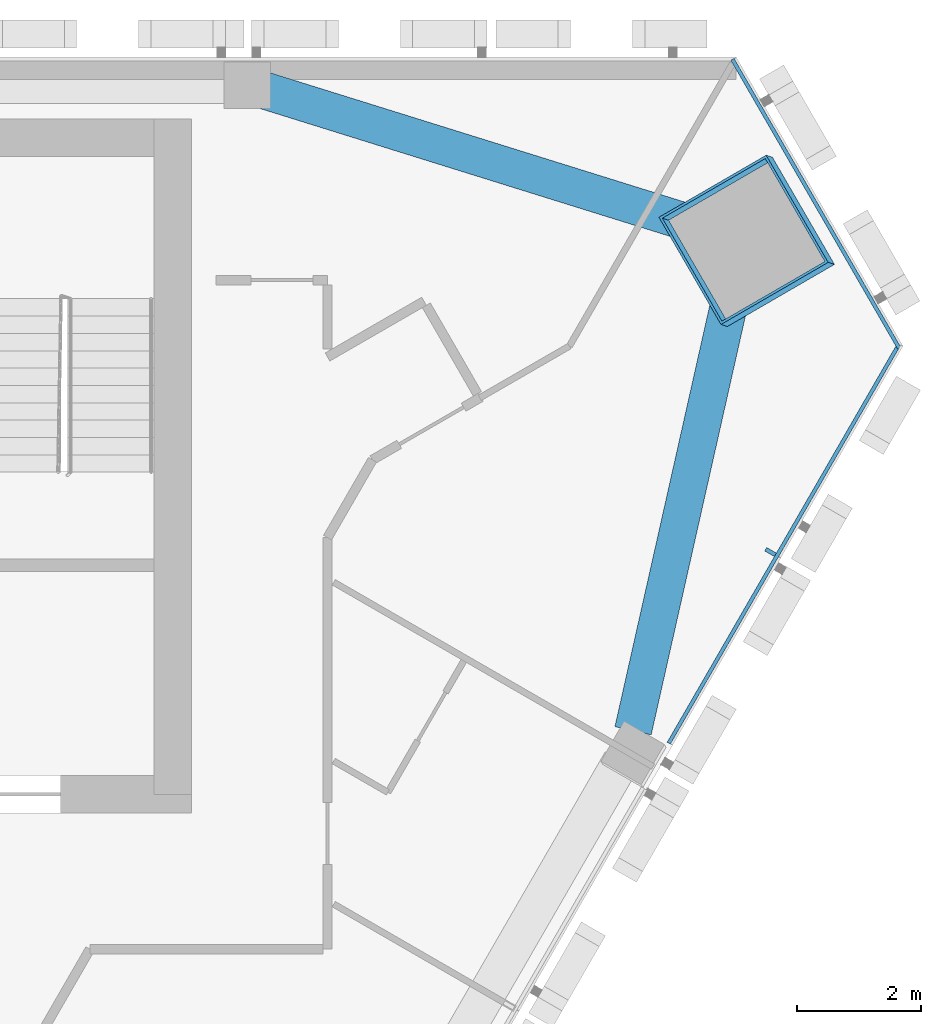
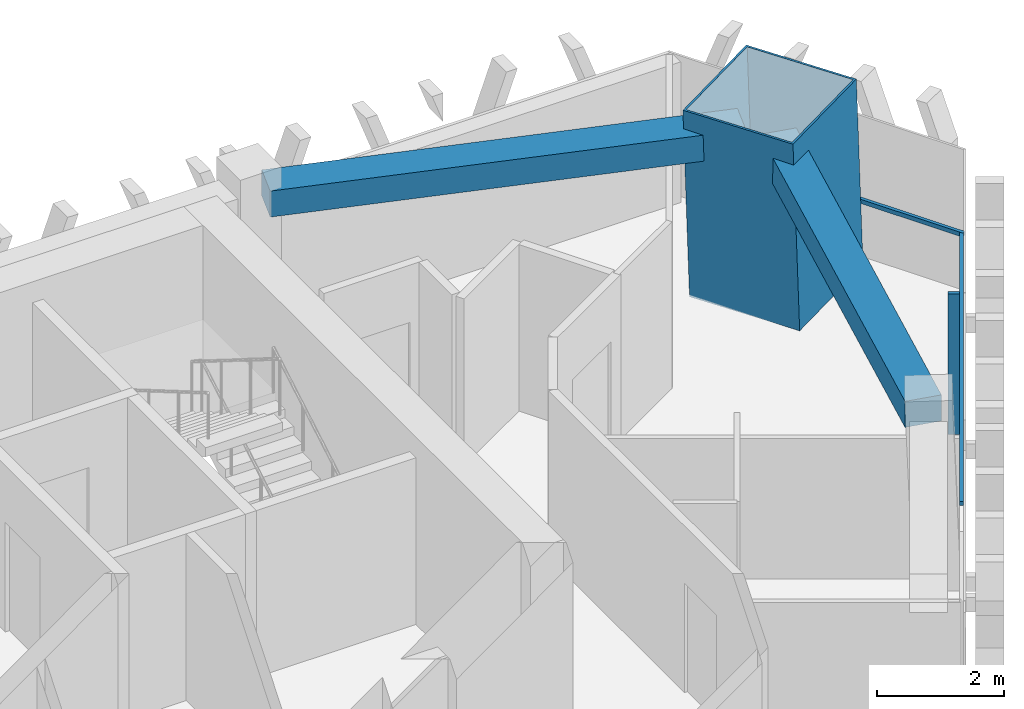
# One storey, part 6 of 14: 4 members, 2 beams, 2 elements without a shape of their own.
"""IFC4 building model written with IfcOpenShell, lengths in metres."""

import ifcopenshell
import ifcopenshell.guid

model = None  # the IFC model being written
_history = None  # IfcOwnerHistory: only IFC2X3 demands one
_inside = {}  # id of a spatial element -> (the spatial element, [elements in it])
_under = {}  # id of a project, library or spatial element -> (it, [spatial elements below it])
_declared = {}  # id of a project -> (the project, [libraries it declares])
_typed = {}  # id of a type object -> (the type object, [elements of that type])
_made_of = {}  # id of a material, layer set ... -> (it, [elements and type objects made of it])


def new_model(schema):
    """Start an empty IFC model of exactly this schema.

    Asked for "IFC4X3", IfcOpenShell would pick the latest addendum, in which some entities
    have other attributes; the version numbers below select the first issue.
    IFC2X3 requires an IfcOwnerHistory on every rooted entity: one is made here for all.
    """
    global model, _history
    if schema == "IFC4X3":
        model = ifcopenshell.file(schema_version=(4, 3, 0, 0))
    else:
        model = ifcopenshell.file(schema=schema)
    _inside.clear()
    _under.clear()
    _declared.clear()
    _typed.clear()
    _made_of.clear()
    _history = None
    if model.schema == "IFC2X3":
        org = make("IfcOrganization", Name="unknown")
        user = make(
            "IfcPersonAndOrganization",
            ThePerson=make("IfcPerson", FamilyName="unknown"),
            TheOrganization=org,
        )
        app = make(
            "IfcApplication",
            ApplicationDeveloper=org,
            Version="unknown",
            ApplicationFullName="unknown",
            ApplicationIdentifier="unknown",
        )
        _history = make(
            "IfcOwnerHistory",
            OwningUser=user,
            OwningApplication=app,
            ChangeAction="ADDED",
            CreationDate=0,
        )
    return model


def make(cls, **values):
    """One entity of the class cls with the attributes given. An attribute that is None is left unset."""
    return model.create_entity(
        cls, **{name: value for name, value in values.items() if value is not None}
    )


def rooted(cls, **values):
    """An entity with a GlobalId (a new one), such as an element, a storey or a relation."""
    return make(cls, GlobalId=ifcopenshell.guid.new(), OwnerHistory=_history, **values)


def si_unit(unit_type, name, prefix=None):
    """IfcSIUnit, for example si_unit("LENGTHUNIT", "METRE", prefix="MILLI")."""
    return make("IfcSIUnit", UnitType=unit_type, Prefix=prefix, Name=name)


def assignment(units):
    """IfcUnitAssignment: the units of a project."""
    return None if units is None else make("IfcUnitAssignment", Units=units)


def point(xyz):
    """IfcCartesianPoint."""
    return None if xyz is None else make("IfcCartesianPoint", Coordinates=xyz)


def direction(xyz):
    """IfcDirection."""
    return None if xyz is None else make("IfcDirection", DirectionRatios=xyz)


def frame(location, z_axis=None, x_axis=None):
    """IfcAxis2Placement3D, a coordinate frame: its origin and axes. An axis left out is left unset."""
    return make(
        "IfcAxis2Placement3D",
        Location=point(location),
        Axis=direction(z_axis),
        RefDirection=direction(x_axis),
    )


def frame_2d(location, x_axis=None):
    """IfcAxis2Placement2D, a coordinate frame in the plane: its origin and x axis."""
    return make(
        "IfcAxis2Placement2D", Location=point(location), RefDirection=direction(x_axis)
    )


def origin():
    """The frame at (0, 0, 0) with its axes left unset."""
    return frame((0.0, 0.0, 0.0))


def origin_2d():
    """The frame at (0, 0) in the plane with its x axis left unset."""
    return frame_2d((0.0, 0.0))


def place(relative_to, where):
    """IfcLocalPlacement: puts the frame where relative to a parent placement (None: the world)."""
    return make(
        "IfcLocalPlacement", PlacementRelTo=relative_to, RelativePlacement=where
    )


def context(
    kind, dimensions, precision=None, world=None, true_north=None, identifier=None
):
    """IfcGeometricRepresentationContext, for example the 3D "Model" context."""
    return make(
        "IfcGeometricRepresentationContext",
        ContextIdentifier=identifier,
        ContextType=kind,
        CoordinateSpaceDimension=dimensions,
        Precision=precision,
        WorldCoordinateSystem=world,
        TrueNorth=true_north,
    )


def subcontext(parent, identifier, kind, view, scale=None):
    """IfcGeometricRepresentationSubContext, for example "Body" below "Model"."""
    return make(
        "IfcGeometricRepresentationSubContext",
        ContextIdentifier=identifier,
        ContextType=kind,
        ParentContext=parent,
        TargetScale=scale,
        TargetView=view,
    )


def project(units=None, contexts=None):
    """IfcProject with its units and contexts."""
    return rooted(
        "IfcProject",
        Name="project",
        RepresentationContexts=contexts,
        UnitsInContext=assignment(units),
    )


def spatial(cls, under=None, at=None, **own):
    """A site, building, storey or space (cls), placed at a placement, below another one or the project."""
    s = rooted(cls, ObjectPlacement=at, **own)
    if under is not None:
        _under.setdefault(under.id(), (under, []))[1].append(s)
    return s


def profile(cls, at=None, kind="AREA", **sizes):
    """A parametric profile (cls). Its sizes go by their IFC names, for example OverallWidth=200.0."""
    return make(cls, ProfileType=kind, Position=at, **sizes)


def rectangle(**sizes):
    """IfcRectangleProfileDef."""
    return profile("IfcRectangleProfileDef", **sizes)


def hollow_rectangle(**sizes):
    """IfcRectangleHollowProfileDef."""
    return profile("IfcRectangleHollowProfileDef", **sizes)


def extrude(swept, where, along, depth):
    """IfcExtrudedAreaSolid: the profile swept, set in the frame where, extruded along a direction by depth."""
    return make(
        "IfcExtrudedAreaSolid",
        SweptArea=swept,
        Position=where,
        ExtrudedDirection=direction(along),
        Depth=depth,
    )


def shape(context_of_items, identifier, shape_type, items):
    """IfcShapeRepresentation: the items that make up one representation, for example the "Body"."""
    return make(
        "IfcShapeRepresentation",
        ContextOfItems=context_of_items,
        RepresentationIdentifier=identifier,
        RepresentationType=shape_type,
        Items=items,
    )


def material(Name=None, Category=None):
    """IfcMaterial."""
    return make("IfcMaterial", Name=Name, Category=Category)


def layer(
    of_material, thickness, ventilated=None, Name=None, Category=None, Priority=None
):
    """IfcMaterialLayer: one layer of a wall or slab, of a material (None: an air gap)."""
    return make(
        "IfcMaterialLayer",
        Material=of_material,
        LayerThickness=thickness,
        IsVentilated=ventilated,
        Name=Name,
        Category=Category,
        Priority=Priority,
    )


def layer_set(layers, Name=None):
    """IfcMaterialLayerSet."""
    return make("IfcMaterialLayerSet", MaterialLayers=layers, LayerSetName=Name)


def material_profile(
    of_material, cross_section, Name=None, Category=None, Priority=None
):
    """IfcMaterialProfile: a cross section and its material."""
    return make(
        "IfcMaterialProfile",
        Name=Name,
        Material=of_material,
        Profile=cross_section,
        Priority=Priority,
        Category=Category,
    )


def profile_set(profiles, Name=None, composite=None):
    """IfcMaterialProfileSet."""
    return make(
        "IfcMaterialProfileSet",
        Name=Name,
        MaterialProfiles=profiles,
        CompositeProfile=composite,
    )


def made_of(thing, what):
    """Note that an element or type object is made of a material, layer set ...; save() writes the relation."""
    if what is not None:
        _made_of.setdefault(what.id(), (what, []))[1].append(thing)
    return thing


def type_object(cls, material=None, **own):
    """A type object (cls), such as IfcWallType, which elements share."""
    return made_of(rooted(cls, **own), material)


def element(
    cls,
    number,
    at=None,
    inside=None,
    cuts=None,
    type_object=None,
    material=None,
    context=None,
    identifier="Body",
    shape_type=None,
    held_by="IfcProductDefinitionShape",
    body=None,
    shapes=None,
    **own,
):
    """One element of the class cls, such as IfcWall. Its Tag is "e" and its number.

    at: its placement. inside: the storey or other place that contains it. cuts: it is an
    opening in that element (IfcRelVoidsElement). A single representation is given by context,
    identifier, shape_type and body (its items); several are given by shapes. held_by: the class
    of the entity that holds the representations. save() writes the other relations.
    """
    e = rooted(cls, Tag="e%d" % number, ObjectPlacement=at, **own)
    if body is not None:
        shapes = [shape(context, identifier, shape_type, body)]
    if shapes is not None:
        e.Representation = make(held_by, Representations=shapes)
    if inside is not None:
        _inside.setdefault(inside.id(), (inside, []))[1].append(e)
    if cuts is not None:
        rooted(
            "IfcRelVoidsElement", RelatingBuildingElement=cuts, RelatedOpeningElement=e
        )
    if type_object is not None:
        _typed.setdefault(type_object.id(), (type_object, []))[1].append(e)
    return made_of(e, material)


def aggregate(whole, parts):
    """IfcRelAggregates: a whole, such as a stair, and the parts it consists of."""
    return rooted("IfcRelAggregates", RelatingObject=whole, RelatedObjects=parts)


def save(model, path):
    """Write the relations noted so far, then the file.

    IfcRelAggregates (storeys below a building ...), IfcRelContainedInSpatialStructure (elements
    in a storey), IfcRelDefinesByType, IfcRelAssociatesMaterial and IfcRelDeclares: one each for
    every whole, place, type object, material and project.
    """
    for whole, parts in _under.values():
        aggregate(whole, parts)
    for where, things in _inside.values():
        rooted(
            "IfcRelContainedInSpatialStructure",
            RelatedElements=things,
            RelatingStructure=where,
        )
    for kind, things in _typed.values():
        rooted("IfcRelDefinesByType", RelatedObjects=things, RelatingType=kind)
    for what, things in _made_of.values():
        rooted("IfcRelAssociatesMaterial", RelatedObjects=things, RelatingMaterial=what)
    for by, libraries in _declared.values():
        rooted("IfcRelDeclares", RelatingContext=by, RelatedDefinitions=libraries)
    model.write(path)


model = new_model("IFC4")

# Units and contexts
model_context = context("Model", 3, precision=1e-05, world=origin(), true_north=direction((0.0, 1.0)))
body_context = subcontext(model_context, "Body", "Model", "MODEL_VIEW")
ifc_project = project(units=[si_unit("LENGTHUNIT", "METRE"), si_unit("AREAUNIT", "SQUARE_METRE"), si_unit("VOLUMEUNIT", "CUBIC_METRE"), si_unit("PLANEANGLEUNIT", "RADIAN"), si_unit("MASSUNIT", "GRAM", prefix="KILO")], contexts=[model_context])

# Site, building, storey
site_placement = place(None, origin())
site = spatial("IfcSite", under=ifc_project, at=site_placement, CompositionType="ELEMENT")
building_placement = place(site_placement, origin())
building = spatial("IfcBuilding", under=site, at=building_placement, Name="Altiplano Prism Tower", CompositionType="ELEMENT")
storey_placement = place(building_placement, frame((0.0, 0.0, 242.800048828125)))
storey = spatial("IfcBuildingStorey", under=building, at=storey_placement, Name="L62", CompositionType="ELEMENT", Elevation=242.800048828125)

# Curtain wall, members
ifc_material_1 = material(Name="Aluminium and glass", Category="aluminium")
ifc_layer = layer(ifc_material_1, 0.280029296875)
ifc_layer_set = layer_set([ifc_layer], Name="Aluminium and glass")
curtain_wall_type = type_object("IfcCurtainWallType", Name="CW1 typical co-living unitised curtain wall", PredefinedType="NOTDEFINED", material=ifc_layer_set)
curtain_wall_1_placement = place(storey_placement, origin())
curtain_wall_1 = element("IfcCurtainWall", 1, at=curtain_wall_1_placement, inside=storey, type_object=curtain_wall_type, Name="CW1 curtain wall south-east face L62", PredefinedType="NOTDEFINED")
ifc_material_2 = material(Name="Aluminium", Category="aluminium")
ifc_material_profile_1 = material_profile(ifc_material_2, rectangle(XDim=0.179931640625, YDim=0.06494140625, at=origin_2d()), Name="CW1 mullion 65 x 180")
ifc_profile_set_1 = profile_set([ifc_material_profile_1], Name="Aluminium")
member_type_1 = type_object("IfcMemberType", Name="CW1 mullion 65 x 180", PredefinedType="MULLION", material=ifc_profile_set_1)
member_1_placement = place(storey_placement, frame((106.951416015625, 97.010986328125, 0.0), z_axis=(0.0, 0.0, 1.0), x_axis=(-0.866025401638, 0.500000003718, 0.0)))
member_1 = element("IfcMember", 2, at=member_1_placement, type_object=member_type_1, Name="CW1 mullion", PredefinedType="MULLION", context=body_context, shape_type="SweptSolid", body=[
    extrude(rectangle(XDim=0.179931640625, YDim=0.06494140625, at=origin_2d()), origin(), (0.0, 0.0, 1.0), 2.699951171875),
])
ifc_material_profile_2 = material_profile(ifc_material_2, rectangle(XDim=0.06005859375, YDim=0.080078125, at=origin_2d()), Name="CW1 transom 80 x 60")
ifc_profile_set_2 = profile_set([ifc_material_profile_2], Name="Aluminium")
member_type_2 = type_object("IfcMemberType", Name="CW1 transom 80 x 60", PredefinedType="USERDEFINED", material=ifc_profile_set_2)
member_2_placement = place(storey_placement, frame((105.308349609375, 93.925048828125, 1.099853515625), z_axis=(0.499984636837, 0.866034273529, 0.0), x_axis=(-0.866034273529, 0.499984636837, 0.0)))
member_2 = element("IfcMember", 3, at=member_2_placement, type_object=member_type_2, Name="CW1 transom", ObjectType="TRANSOM", PredefinedType="USERDEFINED", context=body_context, shape_type="SweptSolid", body=[
    extrude(rectangle(XDim=0.06005859375, YDim=0.080078125, at=origin_2d()), origin(), (0.0, 0.0, 1.0), 7.442626953125),
])
aggregate(curtain_wall_1, [member_1, member_2])

# Curtain wall, member
curtain_wall_2_placement = place(storey_placement, origin())
curtain_wall_2 = element("IfcCurtainWall", 4, at=curtain_wall_2_placement, inside=storey, type_object=curtain_wall_type, Name="CW1 curtain wall north-east chamfer L62", PredefinedType="NOTDEFINED")
member_3_placement = place(storey_placement, frame((109.029541015625, 100.300537109375, 1.099853515625), z_axis=(-0.500004955061, 0.86602254296, 0.0), x_axis=(-0.86602254296, -0.500004955061, 0.0)))
member_3 = element("IfcMember", 5, at=member_3_placement, type_object=member_type_2, Name="CW1 transom", ObjectType="TRANSOM", PredefinedType="USERDEFINED", context=body_context, shape_type="SweptSolid", body=[
    extrude(rectangle(XDim=0.06005859375, YDim=0.080078125, at=origin_2d()), origin(), (0.0, 0.0, 1.0), 5.38623046875),
])
aggregate(curtain_wall_2, [member_3])

# Beams
ifc_material_3 = material(Name="Concrete C60/75", Category="concrete")
ifc_material_profile_3 = material_profile(ifc_material_3, rectangle(XDim=0.60009765625, YDim=0.5, at=origin_2d()), Name="Edge beam 600x500")
ifc_profile_set_3 = profile_set([ifc_material_profile_3], Name="Concrete C60/75")
beam_type = type_object("IfcBeamType", Name="Edge beam 600x500", PredefinedType="SPANDREL", material=ifc_profile_set_3)
for number, where, z_axis, x_axis, name in (
    (6, (104.731689453125, 94.126220703125, 2.949951171875), (0.219604561494, 0.97558896907, 0.0), (-0.97558896907, 0.219604561494, 0.0), "Edge beam P24-M2 L63"),
    (7, (106.0859375, 102.18505859375, 2.949951171875), (-0.954684133293, 0.297620909276, 0.0), (-0.297620909276, -0.954684133293, 0.0), "Edge beam M2-P01 L63"),
):
    element("IfcBeam", number, at=place(storey_placement, frame(where, z_axis=z_axis, x_axis=x_axis)), inside=storey, type_object=beam_type, Name=name, PredefinedType="SPANDREL", context=body_context, shape_type="SweptSolid", body=[
        extrude(rectangle(XDim=0.60009765625, YDim=0.5, at=origin_2d()), origin(), (0.0, 0.0, 1.0), 7.673095703125),
    ])

# Member
ifc_material_4 = material(Name="Steel S460", Category="steel")
ifc_material_profile_4 = material_profile(ifc_material_4, hollow_rectangle(XDim=2.0, YDim=2.0, WallThickness=0.0400390625, at=origin_2d()), Name="Mega column tube 2000")
ifc_profile_set_4 = profile_set([ifc_material_profile_4], Name="Steel S460")
member_type_3 = type_object("IfcMemberType", Name="Mega column tube 2000", PredefinedType="POST", material=ifc_profile_set_4)
member_4_placement = place(storey_placement, frame((106.617919921875, 102.017822265625, 0.0), z_axis=(-0.028403739082, 0.009219352065, 0.999554016126), x_axis=(0.500744789622, -0.865309972293, 0.022210527167)))
element("IfcMember", 8, at=member_4_placement, inside=storey, type_object=member_type_3, Name="Mega column tube M2 L62", PredefinedType="POST", context=body_context, shape_type="SweptSolid", body=[
    extrude(hollow_rectangle(XDim=2.0, YDim=2.0, WallThickness=0.0400390625, at=origin_2d()), origin(), (0.0, 0.0, 1.0), 3.6015625),
])

save(model, "model.ifc")
